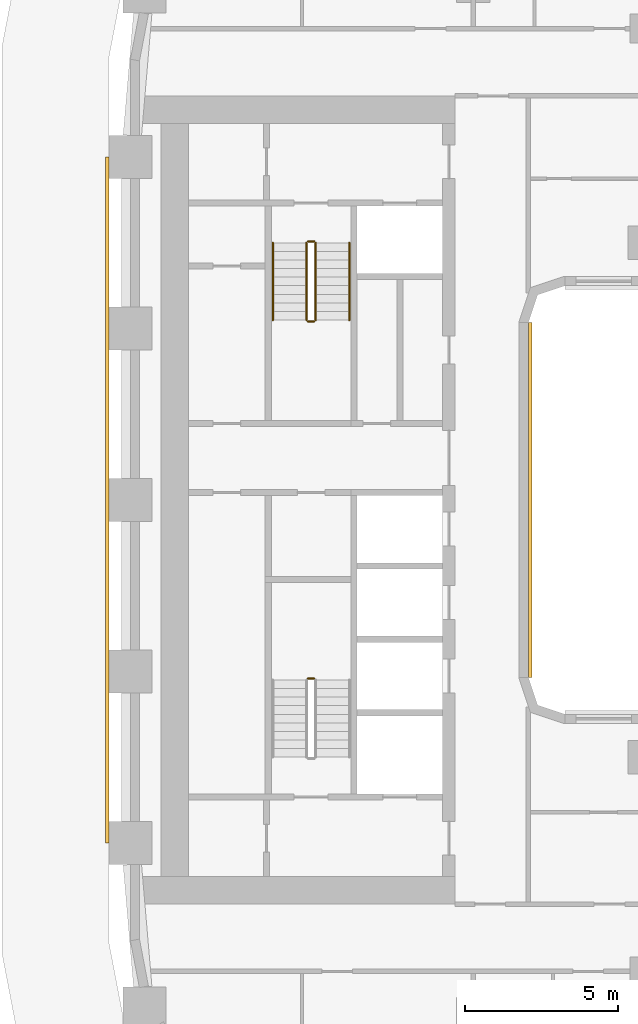
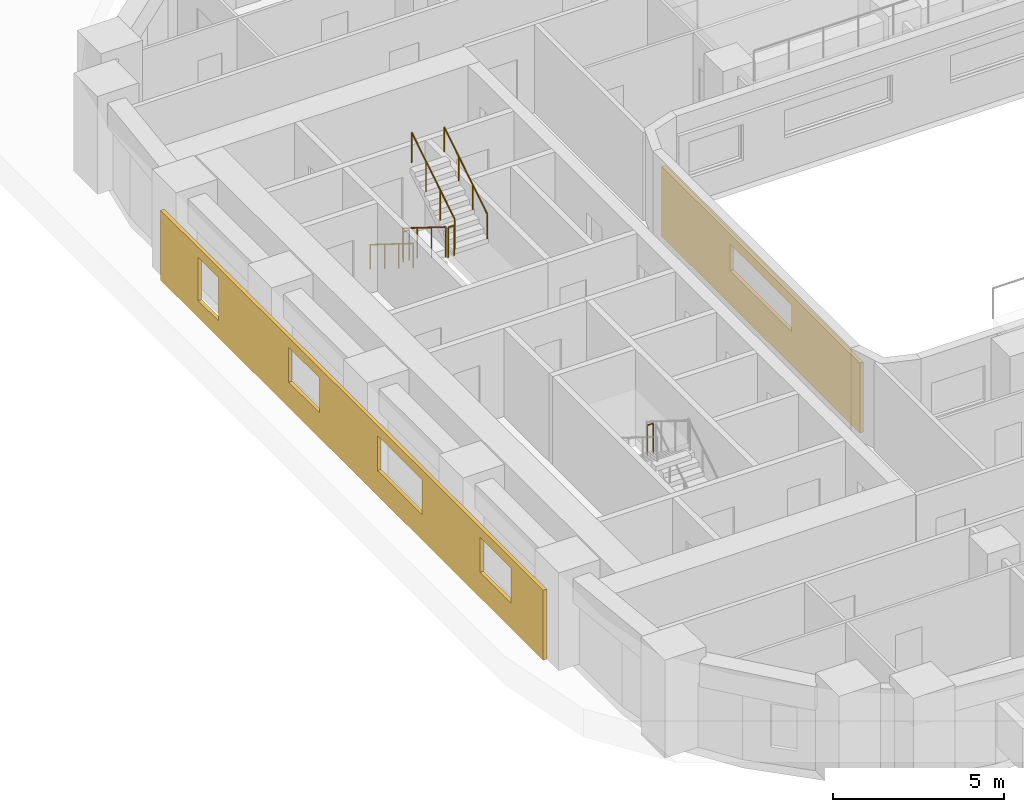
# One storey, part 14 of 18: 7 railings, 2 coverings.
"""IFC4 building model written with IfcOpenShell, lengths in metres."""

from ifc_helpers import new_model, si_unit, direction, frame, origin, origin_2d, place, context, subcontext, project, spatial, polyline, circle, outline, extrude, material, layer, layer_set, type_object, element, save


model = new_model("IFC4")

# Units and contexts
model_context = context("Model", 3, precision=1e-05, world=origin(), true_north=direction((0.0, 1.0)))
body_context = subcontext(model_context, "Body", "Model", "MODEL_VIEW")
ifc_project = project(units=[si_unit("LENGTHUNIT", "METRE"), si_unit("AREAUNIT", "SQUARE_METRE"), si_unit("VOLUMEUNIT", "CUBIC_METRE"), si_unit("PLANEANGLEUNIT", "RADIAN"), si_unit("MASSUNIT", "GRAM", prefix="KILO")], contexts=[model_context])

# Site, building, storey
site_placement = place(None, origin())
site = spatial("IfcSite", under=ifc_project, at=site_placement, CompositionType="ELEMENT")
building_placement = place(site_placement, origin())
building = spatial("IfcBuilding", under=site, at=building_placement, Name="Kiln Ring Residences", CompositionType="ELEMENT")
storey_placement = place(building_placement, frame((0.0, 0.0, 69.0)))
storey = spatial("IfcBuildingStorey", under=building, at=storey_placement, Name="L17", CompositionType="ELEMENT", Elevation=69.0)

# Railings
ifc_material_1 = material(Name="Stainless steel", Category="steel")
railing_type_1 = type_object("IfcRailingType", Name="CORE-STAIR-GUARD", PredefinedType="GUARDRAIL", material=ifc_material_1)
railing_1_placement = place(storey_placement, frame((-22.25, 8.39990234375, 0.175048828125)))
element("IfcRailing", 1, at=railing_1_placement, inside=storey, type_object=railing_type_1, Name="L17 W-STN stair guard 1", PredefinedType="GUARDRAIL", context=body_context, shape_type="SweptSolid", body=[
    extrude(circle(Radius=0.02392578125, at=origin_2d()), frame((0.0, 0.0, 1.076171875), z_axis=(0.0, -0.848007534815, 0.529984170421), x_axis=(1.0, 0.0, 0.0)), (0.0, 0.0, 1.0), 2.9716796875),
    extrude(circle(Radius=0.02099609375, at=origin_2d()), origin(), (0.0, 0.0, 1.0), 1.052001953125),
    extrude(circle(Radius=0.02099609375, at=origin_2d()), frame((0.0, -0.840087890625, 0.52490234375)), (0.0, 0.0, 1.0), 1.052001953125),
    extrude(circle(Radius=0.02099609375, at=origin_2d()), frame((0.0, -1.679931640625, 1.050048828125)), (0.0, 0.0, 1.0), 1.052001953125),
    extrude(circle(Radius=0.02099609375, at=origin_2d()), frame((0.0, -2.52001953125, 1.574951171875)), (0.0, 0.0, 1.0), 1.052001953125),
])
railing_2_placement = place(storey_placement, frame((-22.199951171875, 5.830078125, 1.75)))
element("IfcRailing", 2, at=railing_2_placement, inside=storey, type_object=railing_type_1, Name="L17 W-STN stair guard 2", PredefinedType="GUARDRAIL", context=body_context, shape_type="SweptSolid", body=[
    extrude(circle(Radius=0.02392578125, at=origin_2d()), frame((0.0, 0.0, 1.076171875), z_axis=(1.0, 0.0, 0.0), x_axis=(0.0, 1.0, 0.0)), (0.0, 0.0, 1.0), 0.199951171875),
    extrude(circle(Radius=0.02099609375, at=origin_2d()), origin(), (0.0, 0.0, 1.0), 1.052001953125),
    extrude(circle(Radius=0.02099609375, at=origin_2d()), frame((0.199951171875, 0.0, 0.0)), (0.0, 0.0, 1.0), 1.052001953125),
])
railing_3_placement = place(storey_placement, frame((-21.949951171875, 5.8798828125, 1.925048828125)))
element("IfcRailing", 3, at=railing_3_placement, inside=storey, type_object=railing_type_1, Name="L17 W-STN stair guard 3", PredefinedType="GUARDRAIL", context=body_context, shape_type="SweptSolid", body=[
    extrude(circle(Radius=0.02392578125, at=origin_2d()), frame((0.0, 0.0, 1.076171875), z_axis=(0.0, 0.848007534815, 0.529984170421), x_axis=(-1.0, 0.0, 0.0)), (0.0, 0.0, 1.0), 2.9716796875),
    extrude(circle(Radius=0.02099609375, at=origin_2d()), origin(), (0.0, 0.0, 1.0), 1.052001953125),
    extrude(circle(Radius=0.02099609375, at=origin_2d()), frame((0.0, 0.840087890625, 0.52490234375)), (0.0, 0.0, 1.0), 1.052001953125),
    extrude(circle(Radius=0.02099609375, at=origin_2d()), frame((0.0, 1.679931640625, 1.050048828125)), (0.0, 0.0, 1.0), 1.052001953125),
    extrude(circle(Radius=0.02099609375, at=origin_2d()), frame((0.0, 2.52001953125, 1.574951171875)), (0.0, 0.0, 1.0), 1.052001953125),
])
railing_4_placement = place(storey_placement, frame((-22.199951171875, 8.449951171875, 0.0)))
element("IfcRailing", 4, at=railing_4_placement, inside=storey, type_object=railing_type_1, Name="L17 W-STN stair guard 4", PredefinedType="GUARDRAIL", context=body_context, shape_type="SweptSolid", body=[
    extrude(circle(Radius=0.02392578125, at=origin_2d()), frame((0.0, 0.0, 1.076171875), z_axis=(1.0, 0.0, 0.0), x_axis=(0.0, 1.0, 0.0)), (0.0, 0.0, 1.0), 0.199951171875),
    extrude(circle(Radius=0.02099609375, at=origin_2d()), origin(), (0.0, 0.0, 1.0), 1.052001953125),
    extrude(circle(Radius=0.02099609375, at=origin_2d()), frame((0.199951171875, 0.0, 0.0)), (0.0, 0.0, 1.0), 1.052001953125),
])
railing_5_placement = place(storey_placement, frame((-22.0, -5.830078125, 1.75)))
element("IfcRailing", 5, at=railing_5_placement, inside=storey, type_object=railing_type_1, Name="L17 W-STS stair guard 2", PredefinedType="GUARDRAIL", context=body_context, shape_type="SweptSolid", body=[
    extrude(circle(Radius=0.02392578125, at=origin_2d()), frame((0.0, 0.0, 1.076171875), z_axis=(-1.0, 0.0, 0.0), x_axis=(0.0, -1.0, 0.0)), (0.0, 0.0, 1.0), 0.199951171875),
    extrude(circle(Radius=0.02099609375, at=origin_2d()), origin(), (0.0, 0.0, 1.0), 1.052001953125),
    extrude(circle(Radius=0.02099609375, at=origin_2d()), frame((-0.199951171875, 0.0, 0.0)), (0.0, 0.0, 1.0), 1.052001953125),
])
ifc_material_2 = material(Name="Stainless steel", Category="steel")
railing_type_2 = type_object("IfcRailingType", Name="CORE-STAIR-HANDRAIL", PredefinedType="HANDRAIL", material=ifc_material_2)
railing_6_placement = place(storey_placement, frame((-23.35009765625, 8.39990234375, 0.175048828125)))
element("IfcRailing", 6, at=railing_6_placement, inside=storey, type_object=railing_type_2, Name="L17 W-STN stair handrail 1", PredefinedType="HANDRAIL", context=body_context, shape_type="SweptSolid", body=[
    extrude(circle(Radius=0.02392578125, at=origin_2d()), frame((0.0, 0.0, 0.8759765625), z_axis=(0.0, -0.848007534815, 0.529984170421), x_axis=(1.0, 0.0, 0.0)), (0.0, 0.0, 1.0), 2.9716796875),
    extrude(circle(Radius=0.02099609375, at=origin_2d()), origin(), (0.0, 0.0, 1.0), 0.851806640625),
    extrude(circle(Radius=0.02099609375, at=origin_2d()), frame((0.0, -0.840087890625, 0.52490234375)), (0.0, 0.0, 1.0), 0.851806640625),
    extrude(circle(Radius=0.02099609375, at=origin_2d()), frame((0.0, -1.679931640625, 1.050048828125)), (0.0, 0.0, 1.0), 0.851806640625),
    extrude(circle(Radius=0.02099609375, at=origin_2d()), frame((0.0, -2.52001953125, 1.574951171875)), (0.0, 0.0, 1.0), 0.851806640625),
])
railing_7_placement = place(storey_placement, frame((-20.85009765625, 5.8798828125, 1.925048828125)))
element("IfcRailing", 7, at=railing_7_placement, inside=storey, type_object=railing_type_2, Name="L17 W-STN stair handrail 2", PredefinedType="HANDRAIL", context=body_context, shape_type="SweptSolid", body=[
    extrude(circle(Radius=0.02392578125, at=origin_2d()), frame((0.0, 0.0, 0.8759765625), z_axis=(0.0, 0.848007534815, 0.529984170421), x_axis=(-1.0, 0.0, 0.0)), (0.0, 0.0, 1.0), 2.9716796875),
    extrude(circle(Radius=0.02099609375, at=origin_2d()), origin(), (0.0, 0.0, 1.0), 0.851806640625),
    extrude(circle(Radius=0.02099609375, at=origin_2d()), frame((0.0, 0.840087890625, 0.52490234375)), (0.0, 0.0, 1.0), 0.851806640625),
    extrude(circle(Radius=0.02099609375, at=origin_2d()), frame((0.0, 1.679931640625, 1.050048828125)), (0.0, 0.0, 1.0), 0.851806640625),
    extrude(circle(Radius=0.02099609375, at=origin_2d()), frame((0.0, 2.52001953125, 1.574951171875)), (0.0, 0.0, 1.0), 0.851806640625),
])

# Coverings
ifc_material_3 = material(Name="Brick masonry, dark clay brick", Category="masonry")
ifc_layer = layer(ifc_material_3, 0.1201171875)
ifc_layer_set = layer_set([ifc_layer], Name="RAINSCREEN PANEL 120")
covering_type = type_object("IfcCoveringType", Name="RAINSCREEN PANEL 120", PredefinedType="CLADDING", material=ifc_layer_set)
covering_1_placement = place(storey_placement, frame((-28.760009765625, 11.199951171875, 0.0), z_axis=(0.0, 0.0, 1.0), x_axis=(0.0, -1.0, 0.0)))
element("IfcCovering", 8, at=covering_1_placement, inside=storey, type_object=covering_type, Name="RAINSCREEN L17", PredefinedType="CLADDING", context=body_context, shape_type="SweptSolid", body=[
    extrude(outline(polyline([(0.0, 0.0), (22.39990234375, 0.0), (22.39990234375, 2.5), (0.0, 2.5), (0.0, 0.0)]), holes=[polyline([(3.39990234375, 0.60009765625), (3.39990234375, 2.14990234375), (2.199951171875, 2.14990234375), (2.199951171875, 0.60009765625), (3.39990234375, 0.60009765625)]), polyline([(9.300048828125, 0.89990234375), (9.300048828125, 2.14990234375), (7.5, 2.14990234375), (7.5, 0.89990234375), (9.300048828125, 0.89990234375)]), polyline([(15.300048828125, 0.89990234375), (15.300048828125, 2.14990234375), (12.699951171875, 2.14990234375), (12.699951171875, 0.89990234375), (15.300048828125, 0.89990234375)]), polyline([(20.5, 0.89990234375), (20.5, 2.14990234375), (18.699951171875, 2.14990234375), (18.699951171875, 0.89990234375), (20.5, 0.89990234375)])]), frame((0.0, 0.06005859375, 0.0), z_axis=(0.0, -1.0, 0.0), x_axis=(1.0, 0.0, 0.0)), (0.0, 0.0, 1.0), 0.1201171875),
])
covering_2_placement = place(storey_placement, frame((-14.93994140625, -5.800048828125, 0.0), z_axis=(0.0, 0.0, 1.0), x_axis=(0.0, 1.0, 0.0)))
element("IfcCovering", 9, at=covering_2_placement, inside=storey, type_object=covering_type, Name="RAINSCREEN L17", PredefinedType="CLADDING", context=body_context, shape_type="SweptSolid", body=[
    extrude(outline(polyline([(0.0, 0.0), (11.60009765625, 0.0), (11.60009765625, 2.5), (0.0, 2.5), (0.0, 0.0)]), holes=[polyline([(4.0, 2.14990234375), (4.0, 1.199951171875), (7.60009765625, 1.199951171875), (7.60009765625, 2.14990234375), (4.0, 2.14990234375)])]), frame((0.0, 0.06005859375, 0.0), z_axis=(0.0, -1.0, 0.0), x_axis=(1.0, 0.0, 0.0)), (0.0, 0.0, 1.0), 0.1201171875),
])

save(model, "model.ifc")
